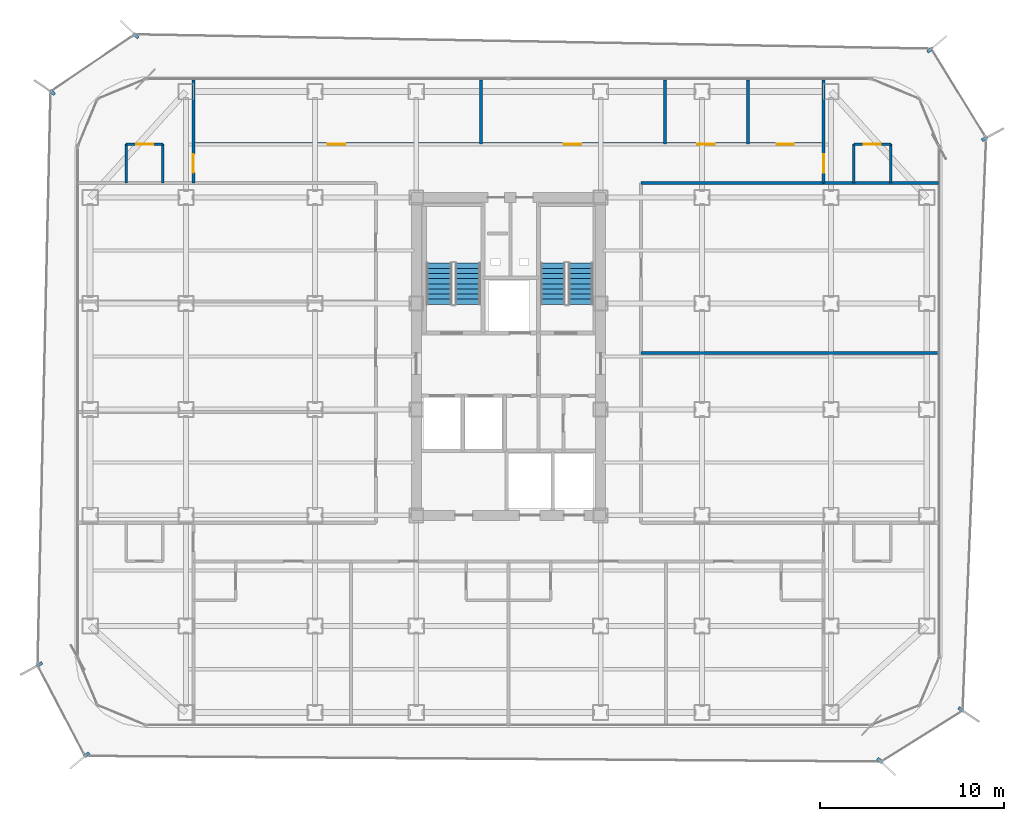
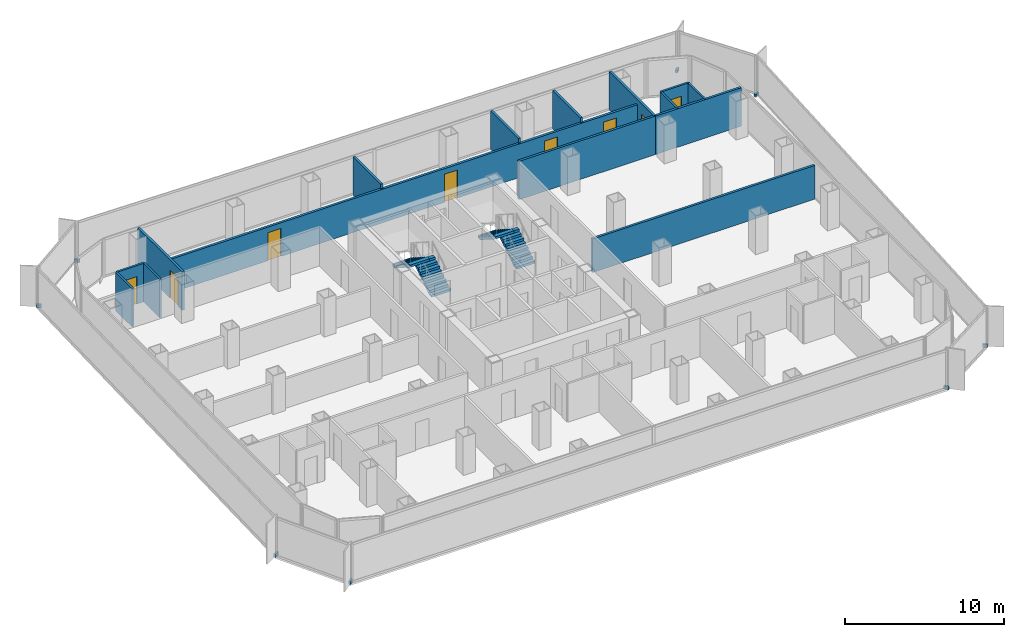
# One storey, part 18 of 21: 15 walls, 8 discrete accessories, 8 doors, 4 stair flights, 8 openings, 2 elements without a shape of their own.
"""IFC4 building model written with IfcOpenShell, lengths in metres."""

import ifcopenshell
import ifcopenshell.guid

model = None  # the IFC model being written
_history = None  # IfcOwnerHistory: only IFC2X3 demands one
_inside = {}  # id of a spatial element -> (the spatial element, [elements in it])
_under = {}  # id of a project, library or spatial element -> (it, [spatial elements below it])
_declared = {}  # id of a project -> (the project, [libraries it declares])
_typed = {}  # id of a type object -> (the type object, [elements of that type])
_made_of = {}  # id of a material, layer set ... -> (it, [elements and type objects made of it])


def new_model(schema):
    """Start an empty IFC model of exactly this schema.

    Asked for "IFC4X3", IfcOpenShell would pick the latest addendum, in which some entities
    have other attributes; the version numbers below select the first issue.
    IFC2X3 requires an IfcOwnerHistory on every rooted entity: one is made here for all.
    """
    global model, _history
    if schema == "IFC4X3":
        model = ifcopenshell.file(schema_version=(4, 3, 0, 0))
    else:
        model = ifcopenshell.file(schema=schema)
    _inside.clear()
    _under.clear()
    _declared.clear()
    _typed.clear()
    _made_of.clear()
    _history = None
    if model.schema == "IFC2X3":
        org = make("IfcOrganization", Name="unknown")
        user = make(
            "IfcPersonAndOrganization",
            ThePerson=make("IfcPerson", FamilyName="unknown"),
            TheOrganization=org,
        )
        app = make(
            "IfcApplication",
            ApplicationDeveloper=org,
            Version="unknown",
            ApplicationFullName="unknown",
            ApplicationIdentifier="unknown",
        )
        _history = make(
            "IfcOwnerHistory",
            OwningUser=user,
            OwningApplication=app,
            ChangeAction="ADDED",
            CreationDate=0,
        )
    return model


def make(cls, **values):
    """One entity of the class cls with the attributes given. An attribute that is None is left unset."""
    return model.create_entity(
        cls, **{name: value for name, value in values.items() if value is not None}
    )


def rooted(cls, **values):
    """An entity with a GlobalId (a new one), such as an element, a storey or a relation."""
    return make(cls, GlobalId=ifcopenshell.guid.new(), OwnerHistory=_history, **values)


def si_unit(unit_type, name, prefix=None):
    """IfcSIUnit, for example si_unit("LENGTHUNIT", "METRE", prefix="MILLI")."""
    return make("IfcSIUnit", UnitType=unit_type, Prefix=prefix, Name=name)


def assignment(units):
    """IfcUnitAssignment: the units of a project."""
    return None if units is None else make("IfcUnitAssignment", Units=units)


def point(xyz):
    """IfcCartesianPoint."""
    return None if xyz is None else make("IfcCartesianPoint", Coordinates=xyz)


def direction(xyz):
    """IfcDirection."""
    return None if xyz is None else make("IfcDirection", DirectionRatios=xyz)


def frame(location, z_axis=None, x_axis=None):
    """IfcAxis2Placement3D, a coordinate frame: its origin and axes. An axis left out is left unset."""
    return make(
        "IfcAxis2Placement3D",
        Location=point(location),
        Axis=direction(z_axis),
        RefDirection=direction(x_axis),
    )


def frame_2d(location, x_axis=None):
    """IfcAxis2Placement2D, a coordinate frame in the plane: its origin and x axis."""
    return make(
        "IfcAxis2Placement2D", Location=point(location), RefDirection=direction(x_axis)
    )


def origin():
    """The frame at (0, 0, 0) with its axes left unset."""
    return frame((0.0, 0.0, 0.0))


def origin_2d():
    """The frame at (0, 0) in the plane with its x axis left unset."""
    return frame_2d((0.0, 0.0))


def place(relative_to, where):
    """IfcLocalPlacement: puts the frame where relative to a parent placement (None: the world)."""
    return make(
        "IfcLocalPlacement", PlacementRelTo=relative_to, RelativePlacement=where
    )


def context(
    kind, dimensions, precision=None, world=None, true_north=None, identifier=None
):
    """IfcGeometricRepresentationContext, for example the 3D "Model" context."""
    return make(
        "IfcGeometricRepresentationContext",
        ContextIdentifier=identifier,
        ContextType=kind,
        CoordinateSpaceDimension=dimensions,
        Precision=precision,
        WorldCoordinateSystem=world,
        TrueNorth=true_north,
    )


def subcontext(parent, identifier, kind, view, scale=None):
    """IfcGeometricRepresentationSubContext, for example "Body" below "Model"."""
    return make(
        "IfcGeometricRepresentationSubContext",
        ContextIdentifier=identifier,
        ContextType=kind,
        ParentContext=parent,
        TargetScale=scale,
        TargetView=view,
    )


def project(units=None, contexts=None):
    """IfcProject with its units and contexts."""
    return rooted(
        "IfcProject",
        Name="project",
        RepresentationContexts=contexts,
        UnitsInContext=assignment(units),
    )


def spatial(cls, under=None, at=None, **own):
    """A site, building, storey or space (cls), placed at a placement, below another one or the project."""
    s = rooted(cls, ObjectPlacement=at, **own)
    if under is not None:
        _under.setdefault(under.id(), (under, []))[1].append(s)
    return s


def polyline(points):
    """IfcPolyline through the points."""
    return make("IfcPolyline", Points=[point(p) for p in points])


def profile(cls, at=None, kind="AREA", **sizes):
    """A parametric profile (cls). Its sizes go by their IFC names, for example OverallWidth=200.0."""
    return make(cls, ProfileType=kind, Position=at, **sizes)


def rectangle(**sizes):
    """IfcRectangleProfileDef."""
    return profile("IfcRectangleProfileDef", **sizes)


def outline(outer, holes=None, kind="AREA"):
    """IfcArbitraryClosedProfileDef: a profile drawn as a closed curve; with holes, ...WithVoids."""
    if holes is None:
        return make("IfcArbitraryClosedProfileDef", ProfileType=kind, OuterCurve=outer)
    return make(
        "IfcArbitraryProfileDefWithVoids",
        ProfileType=kind,
        OuterCurve=outer,
        InnerCurves=holes,
    )


def extrude(swept, where, along, depth):
    """IfcExtrudedAreaSolid: the profile swept, set in the frame where, extruded along a direction by depth."""
    return make(
        "IfcExtrudedAreaSolid",
        SweptArea=swept,
        Position=where,
        ExtrudedDirection=direction(along),
        Depth=depth,
    )


def shape(context_of_items, identifier, shape_type, items):
    """IfcShapeRepresentation: the items that make up one representation, for example the "Body"."""
    return make(
        "IfcShapeRepresentation",
        ContextOfItems=context_of_items,
        RepresentationIdentifier=identifier,
        RepresentationType=shape_type,
        Items=items,
    )


def source(mapping_origin, context_of_items, identifier, shape_type, items):
    """IfcRepresentationMap: a shape defined once, which mapped items show again and again."""
    return make(
        "IfcRepresentationMap",
        MappingOrigin=mapping_origin,
        MappedRepresentation=shape(context_of_items, identifier, shape_type, items),
    )


def transform(
    local_origin,
    x_axis=None,
    y_axis=None,
    z_axis=None,
    scale=None,
    scale2=None,
    scale3=None,
    uniform=True,
):
    """IfcCartesianTransformationOperator3D, or its non-uniform kind. x_axis, y_axis, z_axis: its Axis1, 2, 3."""
    if uniform:
        return make(
            "IfcCartesianTransformationOperator3D",
            Axis1=direction(x_axis),
            Axis2=direction(y_axis),
            LocalOrigin=point(local_origin),
            Scale=scale,
            Axis3=direction(z_axis),
        )
    return make(
        "IfcCartesianTransformationOperator3DnonUniform",
        Axis1=direction(x_axis),
        Axis2=direction(y_axis),
        LocalOrigin=point(local_origin),
        Scale=scale,
        Axis3=direction(z_axis),
        Scale2=scale2,
        Scale3=scale3,
    )


def mapped(mapping_source, mapping_target):
    """IfcMappedItem: shows the shape of a source again, moved by a transform."""
    return make(
        "IfcMappedItem", MappingSource=mapping_source, MappingTarget=mapping_target
    )


def material(Name=None, Category=None):
    """IfcMaterial."""
    return make("IfcMaterial", Name=Name, Category=Category)


def layer(
    of_material, thickness, ventilated=None, Name=None, Category=None, Priority=None
):
    """IfcMaterialLayer: one layer of a wall or slab, of a material (None: an air gap)."""
    return make(
        "IfcMaterialLayer",
        Material=of_material,
        LayerThickness=thickness,
        IsVentilated=ventilated,
        Name=Name,
        Category=Category,
        Priority=Priority,
    )


def layer_set(layers, Name=None):
    """IfcMaterialLayerSet."""
    return make("IfcMaterialLayerSet", MaterialLayers=layers, LayerSetName=Name)


def made_of(thing, what):
    """Note that an element or type object is made of a material, layer set ...; save() writes the relation."""
    if what is not None:
        _made_of.setdefault(what.id(), (what, []))[1].append(thing)
    return thing


def type_object(cls, material=None, **own):
    """A type object (cls), such as IfcWallType, which elements share."""
    return made_of(rooted(cls, **own), material)


def element(
    cls,
    number,
    at=None,
    inside=None,
    cuts=None,
    type_object=None,
    material=None,
    context=None,
    identifier="Body",
    shape_type=None,
    held_by="IfcProductDefinitionShape",
    body=None,
    shapes=None,
    **own,
):
    """One element of the class cls, such as IfcWall. Its Tag is "e" and its number.

    at: its placement. inside: the storey or other place that contains it. cuts: it is an
    opening in that element (IfcRelVoidsElement). A single representation is given by context,
    identifier, shape_type and body (its items); several are given by shapes. held_by: the class
    of the entity that holds the representations. save() writes the other relations.
    """
    e = rooted(cls, Tag="e%d" % number, ObjectPlacement=at, **own)
    if body is not None:
        shapes = [shape(context, identifier, shape_type, body)]
    if shapes is not None:
        e.Representation = make(held_by, Representations=shapes)
    if inside is not None:
        _inside.setdefault(inside.id(), (inside, []))[1].append(e)
    if cuts is not None:
        rooted(
            "IfcRelVoidsElement", RelatingBuildingElement=cuts, RelatedOpeningElement=e
        )
    if type_object is not None:
        _typed.setdefault(type_object.id(), (type_object, []))[1].append(e)
    return made_of(e, material)


def fill(opening, filler):
    """IfcRelFillsElement: the door or window that sits in an opening."""
    return rooted(
        "IfcRelFillsElement",
        RelatingOpeningElement=opening,
        RelatedBuildingElement=filler,
    )


def aggregate(whole, parts):
    """IfcRelAggregates: a whole, such as a stair, and the parts it consists of."""
    return rooted("IfcRelAggregates", RelatingObject=whole, RelatedObjects=parts)


def save(model, path):
    """Write the relations noted so far, then the file.

    IfcRelAggregates (storeys below a building ...), IfcRelContainedInSpatialStructure (elements
    in a storey), IfcRelDefinesByType, IfcRelAssociatesMaterial and IfcRelDeclares: one each for
    every whole, place, type object, material and project.
    """
    for whole, parts in _under.values():
        aggregate(whole, parts)
    for where, things in _inside.values():
        rooted(
            "IfcRelContainedInSpatialStructure",
            RelatedElements=things,
            RelatingStructure=where,
        )
    for kind, things in _typed.values():
        rooted("IfcRelDefinesByType", RelatedObjects=things, RelatingType=kind)
    for what, things in _made_of.values():
        rooted("IfcRelAssociatesMaterial", RelatedObjects=things, RelatingMaterial=what)
    for by, libraries in _declared.values():
        rooted("IfcRelDeclares", RelatingContext=by, RelatedDefinitions=libraries)
    model.write(path)


model = new_model("IFC4")

# Units and contexts
model_context = context("Model", 3, precision=1e-05, world=origin(), true_north=direction((0.0, 1.0)))
body_context = subcontext(model_context, "Body", "Model", "MODEL_VIEW")
ifc_project = project(units=[si_unit("LENGTHUNIT", "METRE"), si_unit("AREAUNIT", "SQUARE_METRE"), si_unit("VOLUMEUNIT", "CUBIC_METRE"), si_unit("PLANEANGLEUNIT", "RADIAN"), si_unit("MASSUNIT", "GRAM", prefix="KILO")], contexts=[model_context])

# Site, building, storey
site_placement = place(None, origin())
site = spatial("IfcSite", under=ifc_project, at=site_placement, CompositionType="ELEMENT")
building_placement = place(site_placement, origin())
building = spatial("IfcBuilding", under=site, at=building_placement, Name="Kolveth Station Tower", CompositionType="ELEMENT")
storey_placement = place(building_placement, frame((0.0, 0.0, 105.5)))
storey = spatial("IfcBuildingStorey", under=building, at=storey_placement, Name="L28", CompositionType="ELEMENT", Elevation=105.5)

# Walls
ifc_material_1 = material(Name="Moisture-resistant gypsum partition")
ifc_layer_1 = layer(ifc_material_1, 0.135009765625)
ifc_layer_set_1 = layer_set([ifc_layer_1], Name="Moisture-resistant gypsum partition")
wall_type_1 = type_object("IfcWallType", Name="Wall_IW-135", PredefinedType="PARTITIONING", material=ifc_layer_set_1)
for number, where, z_axis, x_axis, name in (
    (1, (2.75, 29.550048828125, 0.0), (0.0, 0.0, 1.0), (0.0, 1.0, 0.0), "L28 Partition Wall WL-L28-WS2-BV1"),
    (2, (4.75, 29.550048828125, 0.0), (0.0, 0.0, 1.0), (0.0, 1.0, 0.0), "L28 Partition Wall WL-L28-WS2-BV2"),
):
    element("IfcWall", number, at=place(storey_placement, frame(where, z_axis=z_axis, x_axis=x_axis)), inside=storey, type_object=wall_type_1, Name=name, PredefinedType="PARTITIONING", context=body_context, shape_type="SweptSolid", body=[
        extrude(rectangle(XDim=2.099853515625, YDim=0.135009765625, at=frame_2d((1.0498046875, 0.0))), origin(), (0.0, 0.0, 1.0), 2.949951171875),
    ])

# Wall, opening, door
wall_1_placement = place(storey_placement, frame((2.75, 31.64990234375, 0.0), z_axis=(0.0, 0.0, 1.0), x_axis=(1.0, 0.0, 0.0)))
wall_1 = element("IfcWall", 3, at=wall_1_placement, inside=storey, type_object=wall_type_1, Name="L28 Partition Wall WL-L28-WS2-BH", PredefinedType="PARTITIONING", context=body_context, shape_type="SweptSolid", body=[
    extrude(rectangle(XDim=2.0, YDim=0.135009765625, at=frame_2d((1.0, 0.0))), origin(), (0.0, 0.0, 1.0), 2.949951171875),
])
opening_1_placement = place(wall_1_placement, frame((0.5400390625, 0.0, 0.0)))
opening_1 = element("IfcOpeningElement", 4, at=opening_1_placement, cuts=wall_1, Name="Opening ID2", PredefinedType="OPENING", context=body_context, shape_type="SweptSolid", body=[
    extrude(rectangle(XDim=0.919921875, YDim=2.10009765625, at=frame_2d((0.4599609375, 1.050048828125))), frame((0.0, 0.077392578125, 0.0), z_axis=(0.0, -1.0, 0.0), x_axis=(1.0, 0.0, 0.0)), (0.0, 0.0, 1.0), 0.155029296875),
])
ifc_material_2 = material(Name="Moisture-resistant hardwood leaf", Category="wood")
door_type_1 = type_object("IfcDoorType", Name="Door_ID2", OperationType="NOTDEFINED", PredefinedType="DOOR", material=ifc_material_2)
door_1_placement = place(opening_1_placement, frame((0.919921875, 0.0, 0.0), z_axis=(0.0, 0.0, 1.0), x_axis=(-1.0, 0.0, 0.0)))
door_1 = element("IfcDoor", 5, at=door_1_placement, inside=storey, type_object=door_type_1, Name="L28 Hotel Guest Room WS2 En-Suite Door", OperationType="SINGLE_SWING_RIGHT", OverallHeight=2.10009765625, OverallWidth=0.919921875, PredefinedType="DOOR", context=body_context, shape_type="SweptSolid", body=[
    extrude(rectangle(XDim=0.919921875, YDim=2.10009765625, at=frame_2d((0.4599609375, 1.050048828125))), frame((0.0, 0.02490234375, 0.0), z_axis=(0.0, -1.0, 0.0), x_axis=(1.0, 0.0, 0.0)), (0.0, 0.0, 1.0), 0.050048828125),
])
fill(opening_1, door_1)

# Walls
for number, where, z_axis, x_axis, name in (
    (6, (42.25, 29.550048828125, 0.0), (0.0, 0.0, 1.0), (0.0, 1.0, 0.0), "L28 Partition Wall WL-L28-ES2-BV1"),
    (7, (44.25, 29.550048828125, 0.0), (0.0, 0.0, 1.0), (0.0, 1.0, 0.0), "L28 Partition Wall WL-L28-ES2-BV2"),
):
    element("IfcWall", number, at=place(storey_placement, frame(where, z_axis=z_axis, x_axis=x_axis)), inside=storey, type_object=wall_type_1, Name=name, PredefinedType="PARTITIONING", context=body_context, shape_type="SweptSolid", body=[
        extrude(rectangle(XDim=2.099853515625, YDim=0.135009765625, at=frame_2d((1.0498046875, 0.0))), origin(), (0.0, 0.0, 1.0), 2.949951171875),
    ])

# Wall, opening, door
wall_2_placement = place(storey_placement, frame((42.25, 31.64990234375, 0.0), z_axis=(0.0, 0.0, 1.0), x_axis=(1.0, 0.0, 0.0)))
wall_2 = element("IfcWall", 8, at=wall_2_placement, inside=storey, type_object=wall_type_1, Name="L28 Partition Wall WL-L28-ES2-BH", PredefinedType="PARTITIONING", context=body_context, shape_type="SweptSolid", body=[
    extrude(rectangle(XDim=2.0, YDim=0.135009765625, at=frame_2d((1.0, 0.0))), origin(), (0.0, 0.0, 1.0), 2.949951171875),
])
opening_2_placement = place(wall_2_placement, frame((0.5400390625, 0.0, 0.0)))
opening_2 = element("IfcOpeningElement", 9, at=opening_2_placement, cuts=wall_2, Name="Opening ID2", PredefinedType="OPENING", context=body_context, shape_type="SweptSolid", body=[
    extrude(rectangle(XDim=0.919921875, YDim=2.10009765625, at=frame_2d((0.4599609375, 1.050048828125))), frame((0.0, 0.077392578125, 0.0), z_axis=(0.0, -1.0, 0.0), x_axis=(1.0, 0.0, 0.0)), (0.0, 0.0, 1.0), 0.155029296875),
])
door_2_placement = place(opening_2_placement, frame((0.919921875, 0.0, 0.0), z_axis=(0.0, 0.0, 1.0), x_axis=(-1.0, 0.0, 0.0)))
door_2 = element("IfcDoor", 10, at=door_2_placement, inside=storey, type_object=door_type_1, Name="L28 Hotel Guest Room ES2 En-Suite Door", OperationType="SINGLE_SWING_RIGHT", OverallHeight=2.10009765625, OverallWidth=0.919921875, PredefinedType="DOOR", context=body_context, shape_type="SweptSolid", body=[
    extrude(rectangle(XDim=0.919921875, YDim=2.10009765625, at=frame_2d((0.4599609375, 1.050048828125))), frame((0.0, 0.02490234375, 0.0), z_axis=(0.0, -1.0, 0.0), x_axis=(1.0, 0.0, 0.0)), (0.0, 0.0, 1.0), 0.050048828125),
])
fill(opening_2, door_2)

# Wall, openings, doors
ifc_material_3 = material(Name="Acoustic double-stud gypsum partition")
ifc_layer_2 = layer(ifc_material_3, 0.1650390625)
ifc_layer_set_2 = layer_set([ifc_layer_2], Name="Acoustic double-stud gypsum partition")
wall_type_2 = type_object("IfcWallType", Name="Wall_IW-165", PredefinedType="PARTITIONING", material=ifc_layer_set_2)
wall_3_placement = place(storey_placement, frame((6.39990234375, 31.64990234375, 0.0), z_axis=(0.0, 0.0, 1.0), x_axis=(1.0, 0.0, 0.0)))
wall_3 = element("IfcWall", 11, at=wall_3_placement, inside=storey, type_object=wall_type_2, Name="L28 Partition Wall WL-L28-HN", PredefinedType="PARTITIONING", context=body_context, shape_type="SweptSolid", body=[
    extrude(rectangle(XDim=34.2001953125, YDim=0.1650390625, at=frame_2d((17.10009765625, 0.0))), origin(), (0.0, 0.0, 1.0), 2.5830078125),
])
opening_3_placement = place(wall_3_placement, frame((7.300048828125, 0.0, 0.0)))
opening_3 = element("IfcOpeningElement", 12, at=opening_3_placement, cuts=wall_3, Name="Opening ID1", PredefinedType="OPENING", context=body_context, shape_type="SweptSolid", body=[
    extrude(rectangle(XDim=0.949951171875, YDim=2.14990234375, at=frame_2d((0.47509765625, 1.074951171875))), frame((0.0, 0.092529296875, 0.0), z_axis=(0.0, -1.0, 0.0), x_axis=(1.0, 0.0, 0.0)), (0.0, 0.0, 1.0), 0.18505859375),
])
opening_4_placement = place(wall_3_placement, frame((20.10009765625, 0.0, 0.0)))
opening_4 = element("IfcOpeningElement", 13, at=opening_4_placement, cuts=wall_3, Name="Opening ID1", PredefinedType="OPENING", context=body_context, shape_type="SweptSolid", body=[
    extrude(rectangle(XDim=0.949951171875, YDim=2.14990234375, at=frame_2d((0.47509765625, 1.074951171875))), frame((0.0, 0.092529296875, 0.0), z_axis=(0.0, -1.0, 0.0), x_axis=(1.0, 0.0, 0.0)), (0.0, 0.0, 1.0), 0.18505859375),
])
opening_5_placement = place(wall_3_placement, frame((27.35009765625, 0.0, 0.0)))
opening_5 = element("IfcOpeningElement", 14, at=opening_5_placement, cuts=wall_3, Name="Opening ID1", PredefinedType="OPENING", context=body_context, shape_type="SweptSolid", body=[
    extrude(rectangle(XDim=0.949951171875, YDim=2.14990234375, at=frame_2d((0.47509765625, 1.074951171875))), frame((0.0, 0.092529296875, 0.0), z_axis=(0.0, -1.0, 0.0), x_axis=(1.0, 0.0, 0.0)), (0.0, 0.0, 1.0), 0.18505859375),
])
opening_6_placement = place(wall_3_placement, frame((31.64990234375, 0.0, 0.0)))
opening_6 = element("IfcOpeningElement", 15, at=opening_6_placement, cuts=wall_3, Name="Opening ID2", PredefinedType="OPENING", context=body_context, shape_type="SweptSolid", body=[
    extrude(rectangle(XDim=0.919921875, YDim=2.10009765625, at=frame_2d((0.4599609375, 1.050048828125))), frame((0.0, 0.092529296875, 0.0), z_axis=(0.0, -1.0, 0.0), x_axis=(1.0, 0.0, 0.0)), (0.0, 0.0, 1.0), 0.18505859375),
])
ifc_material_4 = material(Name="Acoustic hardwood leaf and aluminium frame", Category="wood")
door_type_2 = type_object("IfcDoorType", Name="Door_ID1", OperationType="NOTDEFINED", PredefinedType="DOOR", material=ifc_material_4)
door_3_placement = place(opening_3_placement, origin())
door_3 = element("IfcDoor", 16, at=door_3_placement, inside=storey, type_object=door_type_2, Name="L28 North Sky Observation Lounge Door", OperationType="SINGLE_SWING_RIGHT", OverallHeight=2.14990234375, OverallWidth=0.949951171875, PredefinedType="DOOR", context=body_context, shape_type="SweptSolid", body=[
    extrude(rectangle(XDim=0.949951171875, YDim=2.14990234375, at=frame_2d((0.47509765625, 1.074951171875))), frame((0.0, 0.02490234375, 0.0), z_axis=(0.0, -1.0, 0.0), x_axis=(1.0, 0.0, 0.0)), (0.0, 0.0, 1.0), 0.050048828125),
])
fill(opening_3, door_3)
door_4_placement = place(opening_4_placement, origin())
door_4 = element("IfcDoor", 17, at=door_4_placement, inside=storey, type_object=door_type_2, Name="L28 Floor Service Pantry Door", OperationType="SINGLE_SWING_LEFT", OverallHeight=2.14990234375, OverallWidth=0.949951171875, PredefinedType="DOOR", context=body_context, shape_type="SweptSolid", body=[
    extrude(rectangle(XDim=0.949951171875, YDim=2.14990234375, at=frame_2d((0.47509765625, 1.074951171875))), frame((0.0, 0.02490234375, 0.0), z_axis=(0.0, -1.0, 0.0), x_axis=(1.0, 0.0, 0.0)), (0.0, 0.0, 1.0), 0.050048828125),
])
fill(opening_4, door_4)
door_5_placement = place(opening_5_placement, origin())
door_5 = element("IfcDoor", 18, at=door_5_placement, inside=storey, type_object=door_type_2, Name="L28 Reading Study Door", OperationType="SINGLE_SWING_RIGHT", OverallHeight=2.14990234375, OverallWidth=0.949951171875, PredefinedType="DOOR", context=body_context, shape_type="SweptSolid", body=[
    extrude(rectangle(XDim=0.949951171875, YDim=2.14990234375, at=frame_2d((0.47509765625, 1.074951171875))), frame((0.0, 0.02490234375, 0.0), z_axis=(0.0, -1.0, 0.0), x_axis=(1.0, 0.0, 0.0)), (0.0, 0.0, 1.0), 0.050048828125),
])
fill(opening_5, door_5)
door_6_placement = place(opening_6_placement, origin())
door_6 = element("IfcDoor", 19, at=door_6_placement, inside=storey, type_object=door_type_1, Name="L28 Accessible Guest WC Door", OperationType="SINGLE_SWING_LEFT", OverallHeight=2.10009765625, OverallWidth=0.919921875, PredefinedType="DOOR", context=body_context, shape_type="SweptSolid", body=[
    extrude(rectangle(XDim=0.919921875, YDim=2.10009765625, at=frame_2d((0.4599609375, 1.050048828125))), frame((0.0, 0.02490234375, 0.0), z_axis=(0.0, -1.0, 0.0), x_axis=(1.0, 0.0, 0.0)), (0.0, 0.0, 1.0), 0.050048828125),
])
fill(opening_6, door_6)

# Wall
wall_4_placement = place(storey_placement, frame((30.699951171875, 29.550048828125, 0.0), z_axis=(0.0, 0.0, 1.0), x_axis=(1.0, 0.0, 0.0)))
element("IfcWall", 20, at=wall_4_placement, inside=storey, type_object=wall_type_2, Name="L28 Partition Wall WL-L28-HNEB", PredefinedType="PARTITIONING", context=body_context, shape_type="SweptSolid", body=[
    extrude(rectangle(XDim=9.900146484375, YDim=0.1650390625, at=frame_2d((4.9501953125, 0.0))), origin(), (0.0, 0.0, 1.0), 2.949951171875),
])

# Wall, opening, door
wall_5_placement = place(storey_placement, frame((6.39990234375, 29.550048828125, 0.0), z_axis=(0.0, 0.0, 1.0), x_axis=(0.0, 1.0, 0.0)))
wall_5 = element("IfcWall", 21, at=wall_5_placement, inside=storey, type_object=wall_type_2, Name="L28 Partition Wall WL-L28-END-WN", PredefinedType="PARTITIONING", context=body_context, shape_type="SweptSolid", body=[
    extrude(rectangle(XDim=5.58984375, YDim=0.1650390625, at=frame_2d((2.794921875, 0.0))), origin(), (0.0, 0.0, 1.0), 2.949951171875),
])
opening_7_placement = place(wall_5_placement, frame((0.550048828125, 0.0, 0.0)))
opening_7 = element("IfcOpeningElement", 22, at=opening_7_placement, cuts=wall_5, Name="Opening FD3", PredefinedType="OPENING", context=body_context, shape_type="SweptSolid", body=[
    extrude(rectangle(XDim=1.0, YDim=2.14990234375, at=frame_2d((0.5, 1.074951171875))), frame((0.0, 0.092529296875, 0.0), z_axis=(0.0, -1.0, 0.0), x_axis=(1.0, 0.0, 0.0)), (0.0, 0.0, 1.0), 0.18505859375),
])
ifc_material_5 = material(Name="Fire-rated hardwood leaf and aluminium frame", Category="wood")
door_type_3 = type_object("IfcDoorType", Name="Door_FD3", OperationType="NOTDEFINED", PredefinedType="DOOR", material=ifc_material_5)
door_7_placement = place(opening_7_placement, origin())
door_7 = element("IfcDoor", 23, at=door_7_placement, inside=storey, type_object=door_type_3, Name="L28 Hotel Guest Room WS2 Entrance Door", OperationType="SINGLE_SWING_LEFT", OverallHeight=2.14990234375, OverallWidth=1.0, PredefinedType="DOOR", context=body_context, shape_type="SweptSolid", body=[
    extrude(rectangle(XDim=1.0, YDim=2.14990234375, at=frame_2d((0.5, 1.074951171875))), frame((0.0, 0.02490234375, 0.0), z_axis=(0.0, -1.0, 0.0), x_axis=(1.0, 0.0, 0.0)), (0.0, 0.0, 1.0), 0.050048828125),
])
fill(opening_7, door_7)

wall_6_placement = place(storey_placement, frame((40.60009765625, 29.550048828125, 0.0), z_axis=(0.0, 0.0, 1.0), x_axis=(0.0, 1.0, 0.0)))
wall_6 = element("IfcWall", 24, at=wall_6_placement, inside=storey, type_object=wall_type_2, Name="L28 Partition Wall WL-L28-END-EN", PredefinedType="PARTITIONING", context=body_context, shape_type="SweptSolid", body=[
    extrude(rectangle(XDim=5.58984375, YDim=0.1650390625, at=frame_2d((2.794921875, 0.0))), origin(), (0.0, 0.0, 1.0), 2.949951171875),
])
opening_8_placement = place(wall_6_placement, frame((0.550048828125, 0.0, 0.0)))
opening_8 = element("IfcOpeningElement", 25, at=opening_8_placement, cuts=wall_6, Name="Opening FD3", PredefinedType="OPENING", context=body_context, shape_type="SweptSolid", body=[
    extrude(rectangle(XDim=1.0, YDim=2.14990234375, at=frame_2d((0.5, 1.074951171875))), frame((0.0, 0.092529296875, 0.0), z_axis=(0.0, -1.0, 0.0), x_axis=(1.0, 0.0, 0.0)), (0.0, 0.0, 1.0), 0.18505859375),
])
door_8_placement = place(opening_8_placement, frame((1.0, 0.0, 0.0), z_axis=(0.0, 0.0, 1.0), x_axis=(-1.0, 0.0, 0.0)))
door_8 = element("IfcDoor", 26, at=door_8_placement, inside=storey, type_object=door_type_3, Name="L28 Hotel Guest Room ES2 Entrance Door", OperationType="SINGLE_SWING_LEFT", OverallHeight=2.14990234375, OverallWidth=1.0, PredefinedType="DOOR", context=body_context, shape_type="SweptSolid", body=[
    extrude(rectangle(XDim=1.0, YDim=2.14990234375, at=frame_2d((0.5, 1.074951171875))), frame((0.0, 0.02490234375, 0.0), z_axis=(0.0, -1.0, 0.0), x_axis=(1.0, 0.0, 0.0)), (0.0, 0.0, 1.0), 0.050048828125),
])
fill(opening_8, door_8)

# Walls
wall_7_placement = place(storey_placement, frame((40.60009765625, 29.550048828125, 0.0), z_axis=(0.0, 0.0, 1.0), x_axis=(1.0, 0.0, 0.0)))
element("IfcWall", 27, at=wall_7_placement, inside=storey, type_object=wall_type_2, Name="L28 Partition Wall WL-L28-EM2", PredefinedType="PARTITIONING", context=body_context, shape_type="SweptSolid", body=[
    extrude(rectangle(XDim=6.239990234375, YDim=0.1650390625, at=frame_2d((3.1201171875, 0.0))), origin(), (0.0, 0.0, 1.0), 2.949951171875),
])
for number, where, z_axis, x_axis, name in (
    (28, (22.0, 31.64990234375, 0.0), (0.0, 0.0, 1.0), (0.0, 1.0, 0.0), "L28 Partition Wall WL-L28-HN-P1"),
    (29, (32.0, 31.64990234375, 0.0), (0.0, 0.0, 1.0), (0.0, 1.0, 0.0), "L28 Partition Wall WL-L28-HN-P2"),
    (30, (36.5, 31.64990234375, 0.0), (0.0, 0.0, 1.0), (0.0, 1.0, 0.0), "L28 Partition Wall WL-L28-HN-P3"),
):
    element("IfcWall", number, at=place(storey_placement, frame(where, z_axis=z_axis, x_axis=x_axis)), inside=storey, type_object=wall_type_2, Name=name, PredefinedType="PARTITIONING", context=body_context, shape_type="SweptSolid", body=[
        extrude(rectangle(XDim=3.489990234375, YDim=0.1650390625, at=frame_2d((1.7451171875, 0.0))), origin(), (0.0, 0.0, 1.0), 2.949951171875),
    ])
wall_8_placement = place(storey_placement, frame((30.699951171875, 20.324951171875, 0.0), z_axis=(0.0, 0.0, 1.0), x_axis=(1.0, 0.0, 0.0)))
element("IfcWall", 31, at=wall_8_placement, inside=storey, type_object=wall_type_2, Name="L28 Partition Wall WL-L28-HME-P1", PredefinedType="PARTITIONING", context=body_context, shape_type="SweptSolid", body=[
    extrude(rectangle(XDim=16.14013671875, YDim=0.1650390625, at=frame_2d((8.070068359375, 0.0))), origin(), (0.0, 0.0, 1.0), 2.5830078125),
])

# Stair, stair flights
ifc_material_6 = material(Name="Concrete C40/50", Category="concrete")
stair_type_1 = type_object("IfcStairType", Name="Stair_ST1", PredefinedType="HALF_TURN_STAIR", material=ifc_material_6)
stair_1_placement = place(storey_placement, origin())
stair_1 = element("IfcStair", 32, at=stair_1_placement, inside=storey, type_object=stair_type_1, Name="L28 Tower Exit Stair ST1", PredefinedType="HALF_TURN_STAIR")
ifc_layer_3 = layer(ifc_material_6, 0.179931640625)
ifc_layer_set_3 = layer_set([ifc_layer_3], Name="Concrete C40/50")
stair_flight_type_1 = type_object("IfcStairFlightType", Name="Flight_ST1", PredefinedType="STRAIGHT", material=ifc_layer_set_3)
stair_flight_1_placement = place(storey_placement, frame((21.300048828125, 22.949951171875, 0.0), z_axis=(0.0, 0.0, 1.0), x_axis=(0.0, 1.0, 0.0)))
stair_flight_1 = element("IfcStairFlight", 33, at=stair_flight_1_placement, type_object=stair_flight_type_1, Name="ST1 flight 1", NumberOfRisers=9, NumberOfTreads=8, PredefinedType="STRAIGHT", RiserHeight=0.177777778, TreadLength=0.28, context=body_context, shape_type="SweptSolid", body=[
    extrude(outline(polyline([(0.0, 0.0), (0.0, 0.177734375), (0.280029296875, 0.177734375), (0.280029296875, 0.35546875), (0.56005859375, 0.35546875), (0.56005859375, 0.533447265625), (0.840087890625, 0.533447265625), (0.840087890625, 0.711181640625), (1.1201171875, 0.711181640625), (1.1201171875, 0.888916015625), (1.39990234375, 0.888916015625), (1.39990234375, 1.066650390625), (1.679931640625, 1.066650390625), (1.679931640625, 1.244384765625), (1.9599609375, 1.244384765625), (1.9599609375, 1.422119140625), (2.239990234375, 1.422119140625), (2.239990234375, 1.60009765625), (2.239990234375, 1.24462890625), (0.27978515625, 0.0), (0.0, 0.0)])), frame((0.0, 0.699951171875, 0.0), z_axis=(0.0, -1.0, 0.0), x_axis=(1.0, 0.0, 0.0)), (0.0, 0.0, 1.0), 1.39990234375),
])
stair_flight_2_placement = place(storey_placement, frame((19.739990234375, 25.18994140625, 1.60009765625), z_axis=(0.0, 0.0, 1.0), x_axis=(0.0, -1.0, 0.0)))
stair_flight_2 = element("IfcStairFlight", 34, at=stair_flight_2_placement, type_object=stair_flight_type_1, Name="ST1 flight 2", NumberOfRisers=9, NumberOfTreads=8, PredefinedType="STRAIGHT", RiserHeight=0.177777778, TreadLength=0.28, context=body_context, shape_type="SweptSolid", body=[
    extrude(outline(polyline([(0.0, 0.0), (0.0, 0.177734375), (0.280029296875, 0.177734375), (0.280029296875, 0.35546875), (0.56005859375, 0.35546875), (0.56005859375, 0.533447265625), (0.840087890625, 0.533447265625), (0.840087890625, 0.711181640625), (1.1201171875, 0.711181640625), (1.1201171875, 0.888916015625), (1.39990234375, 0.888916015625), (1.39990234375, 1.066650390625), (1.679931640625, 1.066650390625), (1.679931640625, 1.244384765625), (1.9599609375, 1.244384765625), (1.9599609375, 1.422119140625), (2.239990234375, 1.422119140625), (2.239990234375, 1.60009765625), (2.239990234375, 1.24462890625), (0.27978515625, 0.0), (0.0, 0.0)])), frame((0.0, 0.699951171875, 0.0), z_axis=(0.0, -1.0, 0.0), x_axis=(1.0, 0.0, 0.0)), (0.0, 0.0, 1.0), 1.39990234375),
])
aggregate(stair_1, [stair_flight_1, stair_flight_2])

stair_type_2 = type_object("IfcStairType", Name="Stair_ST2", PredefinedType="HALF_TURN_STAIR", material=ifc_material_6)
stair_2_placement = place(storey_placement, origin())
stair_2 = element("IfcStair", 35, at=stair_2_placement, inside=storey, type_object=stair_type_2, Name="L28 Tower Exit Stair ST2", PredefinedType="HALF_TURN_STAIR")
ifc_layer_4 = layer(ifc_material_6, 0.179931640625)
ifc_layer_set_4 = layer_set([ifc_layer_4], Name="Concrete C40/50")
stair_flight_type_2 = type_object("IfcStairFlightType", Name="Flight_ST2", PredefinedType="STRAIGHT", material=ifc_layer_set_4)
stair_flight_3_placement = place(storey_placement, frame((27.425048828125, 22.949951171875, 0.0), z_axis=(0.0, 0.0, 1.0), x_axis=(0.0, 1.0, 0.0)))
stair_flight_3 = element("IfcStairFlight", 36, at=stair_flight_3_placement, type_object=stair_flight_type_2, Name="ST2 flight 1", NumberOfRisers=9, NumberOfTreads=8, PredefinedType="STRAIGHT", RiserHeight=0.177777778, TreadLength=0.28, context=body_context, shape_type="SweptSolid", body=[
    extrude(outline(polyline([(0.0, 0.0), (0.0, 0.177734375), (0.280029296875, 0.177734375), (0.280029296875, 0.35546875), (0.56005859375, 0.35546875), (0.56005859375, 0.533447265625), (0.840087890625, 0.533447265625), (0.840087890625, 0.711181640625), (1.1201171875, 0.711181640625), (1.1201171875, 0.888916015625), (1.39990234375, 0.888916015625), (1.39990234375, 1.066650390625), (1.679931640625, 1.066650390625), (1.679931640625, 1.244384765625), (1.9599609375, 1.244384765625), (1.9599609375, 1.422119140625), (2.239990234375, 1.422119140625), (2.239990234375, 1.60009765625), (2.239990234375, 1.24462890625), (0.27978515625, 0.0), (0.0, 0.0)])), frame((0.0, 0.675048828125, 0.0), z_axis=(0.0, -1.0, 0.0), x_axis=(1.0, 0.0, 0.0)), (0.0, 0.0, 1.0), 1.35009765625),
])
stair_flight_4_placement = place(storey_placement, frame((25.9150390625, 25.18994140625, 1.60009765625), z_axis=(0.0, 0.0, 1.0), x_axis=(0.0, -1.0, 0.0)))
stair_flight_4 = element("IfcStairFlight", 37, at=stair_flight_4_placement, type_object=stair_flight_type_2, Name="ST2 flight 2", NumberOfRisers=9, NumberOfTreads=8, PredefinedType="STRAIGHT", RiserHeight=0.177777778, TreadLength=0.28, context=body_context, shape_type="SweptSolid", body=[
    extrude(outline(polyline([(0.0, 0.0), (0.0, 0.177734375), (0.280029296875, 0.177734375), (0.280029296875, 0.35546875), (0.56005859375, 0.35546875), (0.56005859375, 0.533447265625), (0.840087890625, 0.533447265625), (0.840087890625, 0.711181640625), (1.1201171875, 0.711181640625), (1.1201171875, 0.888916015625), (1.39990234375, 0.888916015625), (1.39990234375, 1.066650390625), (1.679931640625, 1.066650390625), (1.679931640625, 1.244384765625), (1.9599609375, 1.244384765625), (1.9599609375, 1.422119140625), (2.239990234375, 1.422119140625), (2.239990234375, 1.60009765625), (2.239990234375, 1.24462890625), (0.27978515625, 0.0), (0.0, 0.0)])), frame((0.0, 0.675048828125, 0.0), z_axis=(0.0, -1.0, 0.0), x_axis=(1.0, 0.0, 0.0)), (0.0, 0.0, 1.0), 1.35009765625),
])
aggregate(stair_2, [stair_flight_3, stair_flight_4])

# Discrete accessories
ifc_material_7 = material(Name="Steel S355", Category="steel")
discrete_accessory_type = type_object("IfcDiscreteAccessoryType", Name="Bracket_BK1", PredefinedType="BRACKET", material=ifc_material_7)
shared_shape = source(origin(), body_context, "Body", "SweptSolid", [
    extrude(rectangle(XDim=0.35009765625, YDim=0.159912109375, at=origin_2d()), origin(), (0.0, 0.0, 1.0), 0.219970703125),
])
for number, where, z_axis, x_axis, name in (
    (38, (43.656982421875, -1.799072265625, -0.06005859375), (0.0, 0.0, 1.0), (0.719582238024, -0.694407231184, 0.0), "L28 Double-Skin Radial Tie Bracket 1"),
    (39, (48.06689453125, 0.9599609375, -0.06005859375), (0.0, 0.0, 1.0), (0.827178663733, -0.5619390165, 0.0), "L28 Double-Skin Radial Tie Bracket 2"),
    (40, (49.342041015625, 31.93701171875, -0.06005859375), (0.0, 0.0, 1.0), (0.87512691893, 0.483893454972, 0.0), "L28 Double-Skin Radial Tie Bracket 3"),
    (41, (46.3740234375, 36.756103515625, -0.06005859375), (0.0, 0.0, 1.0), (0.76750090888, 0.641047856925, 0.0), "L28 Double-Skin Radial Tie Bracket 4"),
    (42, (3.2890625, 37.528076171875, -0.06005859375), (0.0, 0.0, 1.0), (-0.713005742217, 0.701158192968, 0.0), "L28 Double-Skin Radial Tie Bracket 5"),
    (43, (-1.261962890625, 34.451904296875, -0.06005859375), (0.0, 0.0, 1.0), (-0.827472780913, 0.561505829755, 0.0), "L28 Double-Skin Radial Tie Bracket 6"),
    (44, (-1.9619140625, 3.410888671875, -0.06005859375), (0.0, 0.0, 1.0), (-0.872836916401, -0.488012005351, 0.0), "L28 Double-Skin Radial Tie Bracket 7"),
    (45, (0.60400390625, -1.4951171875, -0.06005859375), (0.0, 0.0, 1.0), (-0.767165151815, -0.641449631569, 0.0), "L28 Double-Skin Radial Tie Bracket 8"),
):
    element("IfcDiscreteAccessory", number, at=place(storey_placement, frame(where, z_axis=z_axis, x_axis=x_axis)), inside=storey, type_object=discrete_accessory_type, Name=name, PredefinedType="BRACKET", context=body_context, shape_type="MappedRepresentation", body=[
        mapped(shared_shape, transform((0.0, 0.0, 0.0), x_axis=(1.0, 0.0, 0.0), y_axis=(0.0, 1.0, 0.0), z_axis=(0.0, 0.0, 1.0), scale=1.0)),
    ])

save(model, "model.ifc")
